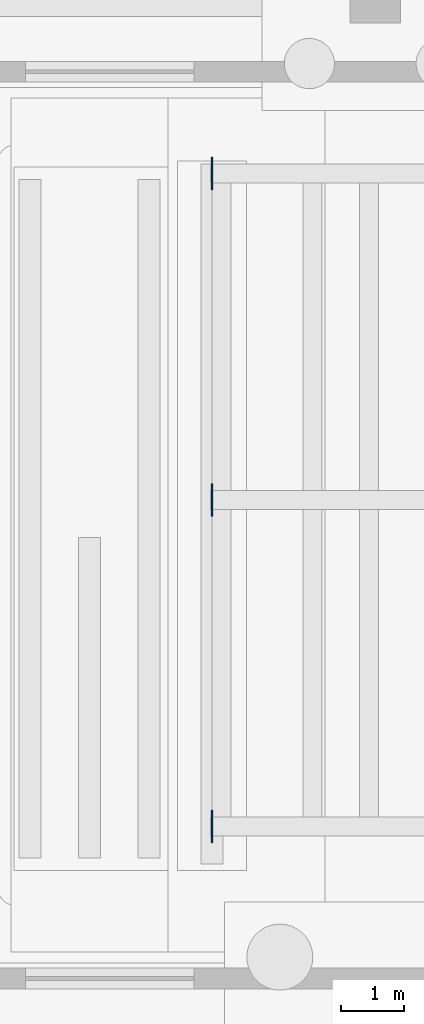
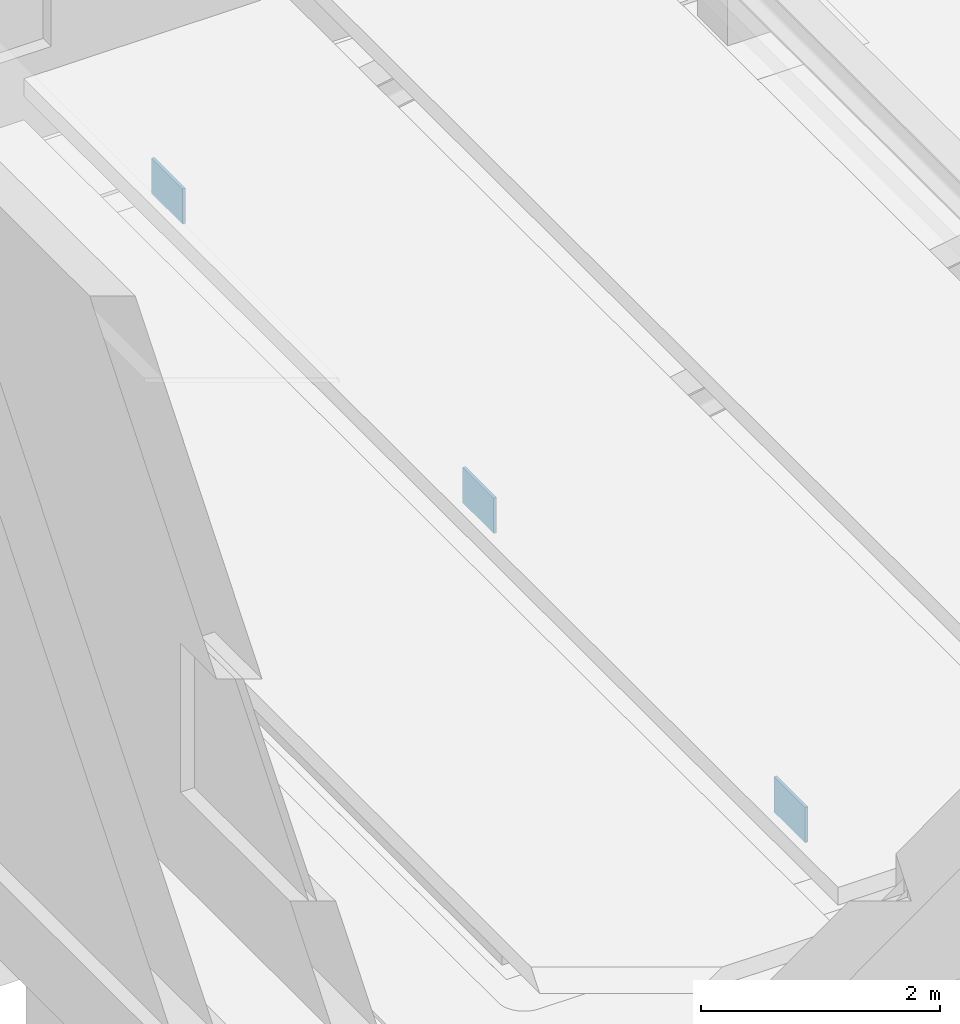
# One storey, part 37 of 65: 3 plates.
"""IFC4 building model written with IfcOpenShell, lengths in metres."""

from ifc_helpers import new_model, si_unit, direction, frame, origin, origin_2d, place, context, subcontext, project, spatial, rectangle, extrude, material, layer, layer_set, type_object, element, save


model = new_model("IFC4")

# Units and contexts
model_context = context("Model", 3, precision=1e-05, world=origin(), true_north=direction((0.0, 1.0)))
body_context = subcontext(model_context, "Body", "Model", "MODEL_VIEW")
ifc_project = project(units=[si_unit("LENGTHUNIT", "METRE"), si_unit("AREAUNIT", "SQUARE_METRE"), si_unit("VOLUMEUNIT", "CUBIC_METRE"), si_unit("PLANEANGLEUNIT", "RADIAN"), si_unit("MASSUNIT", "GRAM", prefix="KILO")], contexts=[model_context])

# Site, building, storey
site_placement = place(None, origin())
site = spatial("IfcSite", under=ifc_project, at=site_placement, CompositionType="ELEMENT")
building_placement = place(site_placement, origin())
building = spatial("IfcBuilding", under=site, at=building_placement, Name="Zulmaris Art Gallery", CompositionType="ELEMENT")
storey_placement = place(building_placement, origin())
storey = spatial("IfcBuildingStorey", under=building, at=storey_placement, Name="L00", CompositionType="ELEMENT", Elevation=0.0)

# Plates
ifc_material = material(Name="Steel S355J2", Category="steel")
ifc_layer = layer(ifc_material, 0.028076171875)
ifc_layer_set = layer_set([ifc_layer], Name="Steel S355J2")
plate_type = type_object("IfcPlateType", Name="PLT-GP02", PredefinedType="USERDEFINED", material=ifc_layer_set)
for number, where, z_axis, x_axis, name in (
    (1, (38.199951171875, 54.0, 0.02978515625), (0.0, 0.0, 1.0), (1.0, 0.0, 0.0), "Auditorium front raker 1 cast-in wall embed plate"),
    (2, (38.199951171875, 59.199951171875, 0.02978515625), (0.0, 0.0, 1.0), (1.0, 0.0, 0.0), "Auditorium front raker 2 cast-in wall embed plate"),
    (3, (38.199951171875, 64.39990234375, 0.02978515625), (0.0, 0.0, 1.0), (1.0, 0.0, 0.0), "Auditorium front raker 3 cast-in wall embed plate"),
):
    element("IfcPlate", number, at=place(storey_placement, frame(where, z_axis=z_axis, x_axis=x_axis)), inside=storey, type_object=plate_type, Name=name, ObjectType="GUSSET PLATE", PredefinedType="USERDEFINED", context=body_context, shape_type="SweptSolid", body=[
        extrude(rectangle(XDim=0.028076171875, YDim=0.52001953125, at=origin_2d()), origin(), (0.0, 0.0, 1.0), 0.360107421875),
    ])

save(model, "model.ifc")
